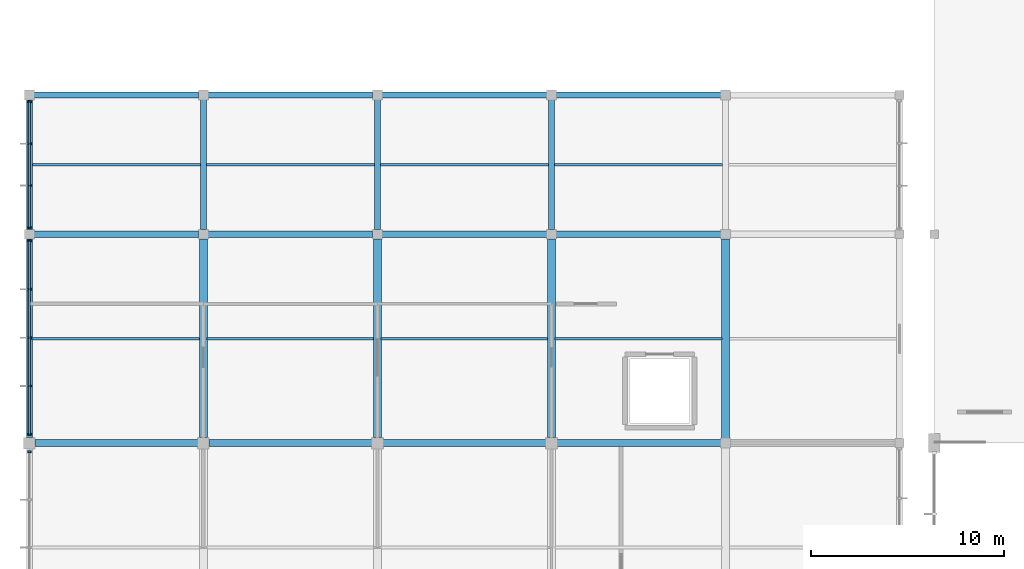
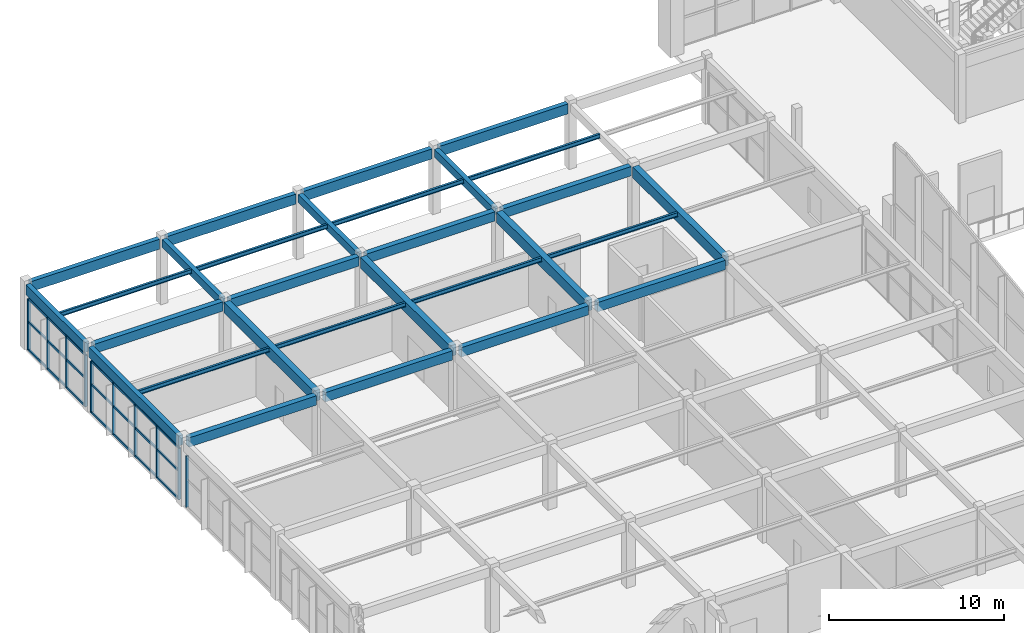
# One storey, part 23 of 74: 29 beams, 26 members, 3 elements without a shape of their own.
"""IFC4 building model written with IfcOpenShell, lengths in metres."""

from ifc_helpers import new_model, si_unit, direction, frame, origin, origin_2d, place, context, subcontext, project, spatial, rectangle, i_section, extrude, material, material_profile, profile_set, type_object, element, aggregate, save


model = new_model("IFC4")

# Units and contexts
model_context = context("Model", 3, precision=1e-05, world=origin(), true_north=direction((0.0, 1.0)))
body_context = subcontext(model_context, "Body", "Model", "MODEL_VIEW")
ifc_project = project(units=[si_unit("LENGTHUNIT", "METRE"), si_unit("AREAUNIT", "SQUARE_METRE"), si_unit("VOLUMEUNIT", "CUBIC_METRE"), si_unit("PLANEANGLEUNIT", "RADIAN"), si_unit("MASSUNIT", "GRAM", prefix="KILO")], contexts=[model_context])

# Site, building, storey
site_placement = place(None, origin())
site = spatial("IfcSite", under=ifc_project, at=site_placement, CompositionType="ELEMENT")
building_placement = place(site_placement, origin())
building = spatial("IfcBuilding", under=site, at=building_placement, Name="Suirenkawa Promenade Aquatics Centre", CompositionType="ELEMENT")
storey_placement = place(building_placement, frame((0.0, 0.0, 4.800048828125)))
storey = spatial("IfcBuildingStorey", under=building, at=storey_placement, Name="L01", CompositionType="ELEMENT", Elevation=4.800048828125)

# Beams
ifc_material_1 = material(Name="Steel IS 2062 E350 (Grade 350)", Category="steel")
ifc_material_profile_1 = material_profile(ifc_material_1, i_section(OverallWidth=0.139892578125, OverallDepth=0.300048828125, WebThickness=0.008056640625, FlangeThickness=0.012939453125, at=origin_2d()), Name="ISMB 300", Category="steel")
ifc_profile_set_1 = profile_set([ifc_material_profile_1], Name="Steel IS 2062 E350 (Grade 350)")
beam_type_1 = type_object("IfcBeamType", Name="BT-JOIST-ISMB300", PredefinedType="JOIST", material=ifc_profile_set_1)
beam_1_placement = place(storey_placement, frame((0.14404296875, 102.60009765625, 4.387939453125), z_axis=(1.0, 0.0, 0.0), x_axis=(0.0, 1.0, 0.0)))
element("IfcBeam", 1, at=beam_1_placement, inside=storey, type_object=beam_type_1, Name="Secondary floor joist JS-02 BM-0530", PredefinedType="JOIST", context=body_context, shape_type="SweptSolid", body=[
    extrude(i_section(OverallWidth=0.139892578125, OverallDepth=0.300048828125, WebThickness=0.008056640625, FlangeThickness=0.012939453125, at=origin_2d()), origin(), (0.0, 0.0, 1.0), 8.661865234375),
])
beam_2_placement = place(storey_placement, frame((0.14404296875, 111.60009765625, 4.387939453125), z_axis=(1.0, 0.0, 0.0), x_axis=(0.0, 1.0, 0.0)))
element("IfcBeam", 2, at=beam_2_placement, inside=storey, type_object=beam_type_1, Name="Secondary floor joist JS-02 BM-0531", PredefinedType="JOIST", context=body_context, shape_type="SweptSolid", body=[
    extrude(i_section(OverallWidth=0.139892578125, OverallDepth=0.300048828125, WebThickness=0.008056640625, FlangeThickness=0.012939453125, at=origin_2d()), origin(), (0.0, 0.0, 1.0), 8.7119140625),
])
beam_3_placement = place(storey_placement, frame((9.194091796875, 102.60009765625, 4.387939453125), z_axis=(1.0, 0.0, 0.0), x_axis=(0.0, 1.0, 0.0)))
element("IfcBeam", 3, at=beam_3_placement, inside=storey, type_object=beam_type_1, Name="Secondary floor joist JS-02 BM-0540", PredefinedType="JOIST", context=body_context, shape_type="SweptSolid", body=[
    extrude(i_section(OverallWidth=0.139892578125, OverallDepth=0.300048828125, WebThickness=0.008056640625, FlangeThickness=0.012939453125, at=origin_2d()), origin(), (0.0, 0.0, 1.0), 8.61181640625),
])
beam_4_placement = place(storey_placement, frame((9.14404296875, 111.60009765625, 4.387939453125), z_axis=(1.0, 0.0, 0.0), x_axis=(0.0, 1.0, 0.0)))
element("IfcBeam", 4, at=beam_4_placement, inside=storey, type_object=beam_type_1, Name="Secondary floor joist JS-02 BM-0541", PredefinedType="JOIST", context=body_context, shape_type="SweptSolid", body=[
    extrude(i_section(OverallWidth=0.139892578125, OverallDepth=0.300048828125, WebThickness=0.008056640625, FlangeThickness=0.012939453125, at=origin_2d()), origin(), (0.0, 0.0, 1.0), 8.7119140625),
])
beam_5_placement = place(storey_placement, frame((18.194091796875, 102.60009765625, 4.387939453125), z_axis=(1.0, 0.0, 0.0), x_axis=(0.0, 1.0, 0.0)))
element("IfcBeam", 5, at=beam_5_placement, inside=storey, type_object=beam_type_1, Name="Secondary floor joist JS-02 BM-0552", PredefinedType="JOIST", context=body_context, shape_type="SweptSolid", body=[
    extrude(i_section(OverallWidth=0.139892578125, OverallDepth=0.300048828125, WebThickness=0.008056640625, FlangeThickness=0.012939453125, at=origin_2d()), origin(), (0.0, 0.0, 1.0), 8.61181640625),
])
beam_6_placement = place(storey_placement, frame((18.14404296875, 111.60009765625, 4.387939453125), z_axis=(1.0, 0.0, 0.0), x_axis=(0.0, 1.0, 0.0)))
element("IfcBeam", 6, at=beam_6_placement, inside=storey, type_object=beam_type_1, Name="Secondary floor joist JS-02 BM-0553", PredefinedType="JOIST", context=body_context, shape_type="SweptSolid", body=[
    extrude(i_section(OverallWidth=0.139892578125, OverallDepth=0.300048828125, WebThickness=0.008056640625, FlangeThickness=0.012939453125, at=origin_2d()), origin(), (0.0, 0.0, 1.0), 8.7119140625),
])
beam_7_placement = place(storey_placement, frame((27.194091796875, 102.60009765625, 4.387939453125), z_axis=(1.0, 0.0, 0.0), x_axis=(0.0, 1.0, 0.0)))
element("IfcBeam", 7, at=beam_7_placement, inside=storey, type_object=beam_type_1, Name="Secondary floor joist JS-02 BM-0564", PredefinedType="JOIST", context=body_context, shape_type="SweptSolid", body=[
    extrude(i_section(OverallWidth=0.139892578125, OverallDepth=0.300048828125, WebThickness=0.008056640625, FlangeThickness=0.012939453125, at=origin_2d()), origin(), (0.0, 0.0, 1.0), 8.61181640625),
])
beam_8_placement = place(storey_placement, frame((27.14404296875, 111.60009765625, 4.387939453125), z_axis=(1.0, 0.0, 0.0), x_axis=(0.0, 1.0, 0.0)))
element("IfcBeam", 8, at=beam_8_placement, inside=storey, type_object=beam_type_1, Name="Secondary floor joist JS-02 BM-0565", PredefinedType="JOIST", context=body_context, shape_type="SweptSolid", body=[
    extrude(i_section(OverallWidth=0.139892578125, OverallDepth=0.300048828125, WebThickness=0.008056640625, FlangeThickness=0.012939453125, at=origin_2d()), origin(), (0.0, 0.0, 1.0), 8.7119140625),
])
ifc_material_2 = material(Name="Concrete M35", Category="concrete")
ifc_material_profile_2 = material_profile(ifc_material_2, rectangle(XDim=0.300048828125, YDim=0.550048828125, at=origin_2d()), Name="RC BM 300x550", Category="concrete")
ifc_profile_set_2 = profile_set([ifc_material_profile_2], Name="Concrete M35")
beam_type_2 = type_object("IfcBeamType", Name="BT-RC-300x550", PredefinedType="BEAM", material=ifc_profile_set_2)
for number, where, z_axis, x_axis, name in (
    (9, (9.0, 108.243896484375, 4.264892578125), (0.0, 1.0, 0.0), (-1.0, 0.0, 0.0), "Floor beam BM-01 BM-0473"),
    (10, (18.0, 108.243896484375, 4.264892578125), (0.0, 1.0, 0.0), (-1.0, 0.0, 0.0), "Floor beam BM-01 BM-0485"),
    (11, (27.0, 108.243896484375, 4.264892578125), (0.0, 1.0, 0.0), (-1.0, 0.0, 0.0), "Floor beam BM-01 BM-0497"),
):
    element("IfcBeam", number, at=place(storey_placement, frame(where, z_axis=z_axis, x_axis=x_axis)), inside=storey, type_object=beam_type_2, Name=name, PredefinedType="BEAM", context=body_context, shape_type="SweptSolid", body=[
        extrude(rectangle(XDim=0.300048828125, YDim=0.550048828125, at=origin_2d()), origin(), (0.0, 0.0, 1.0), 6.712158203125),
    ])
ifc_material_profile_3 = material_profile(ifc_material_2, rectangle(XDim=0.35009765625, YDim=0.64990234375, at=origin_2d()), Name="RC BM 350x650", Category="concrete")
ifc_profile_set_3 = profile_set([ifc_material_profile_3], Name="Concrete M35")
beam_type_3 = type_object("IfcBeamType", Name="BT-RC-350x650", PredefinedType="BEAM", material=ifc_profile_set_3)
for number, where, z_axis, x_axis, name in (
    (12, (0.2939453125, 97.199951171875, 4.21484375), (1.0, 0.0, 0.0), (0.0, 1.0, 0.0), "Floor beam BM-03 BM-0435"),
    (13, (9.2939453125, 97.199951171875, 4.21484375), (1.0, 0.0, 0.0), (0.0, 1.0, 0.0), "Floor beam BM-03 BM-0436"),
    (14, (18.2939453125, 97.199951171875, 4.21484375), (1.0, 0.0, 0.0), (0.0, 1.0, 0.0), "Floor beam BM-03 BM-0437"),
):
    element("IfcBeam", number, at=place(storey_placement, frame(where, z_axis=z_axis, x_axis=x_axis)), inside=storey, type_object=beam_type_3, Name=name, PredefinedType="BEAM", context=body_context, shape_type="SweptSolid", body=[
        extrude(rectangle(XDim=0.35009765625, YDim=0.64990234375, at=origin_2d()), origin(), (0.0, 0.0, 1.0), 8.412109375),
    ])
beam_9_placement = place(storey_placement, frame((27.2939453125, 97.199951171875, 4.21484375), z_axis=(1.0, 0.0, 0.0), x_axis=(0.0, 1.0, 0.0)))
element("IfcBeam", 15, at=beam_9_placement, inside=storey, type_object=beam_type_3, Name="Floor beam BM-03 BM-0438", PredefinedType="BEAM", context=body_context, shape_type="SweptSolid", body=[
    extrude(rectangle(XDim=0.35009765625, YDim=0.64990234375, at=origin_2d()), origin(), (0.0, 0.0, 1.0), 8.462158203125),
])
for number, where, z_axis, x_axis, name in (
    (16, (0.243896484375, 108.0, 4.21484375), (1.0, 0.0, 0.0), (0.0, 1.0, 0.0), "Floor beam BM-03 BM-0440"),
    (17, (9.243896484375, 108.0, 4.21484375), (1.0, 0.0, 0.0), (0.0, 1.0, 0.0), "Floor beam BM-03 BM-0441"),
    (18, (18.243896484375, 108.0, 4.21484375), (1.0, 0.0, 0.0), (0.0, 1.0, 0.0), "Floor beam BM-03 BM-0442"),
    (19, (27.243896484375, 108.0, 4.21484375), (1.0, 0.0, 0.0), (0.0, 1.0, 0.0), "Floor beam BM-03 BM-0443"),
):
    element("IfcBeam", number, at=place(storey_placement, frame(where, z_axis=z_axis, x_axis=x_axis)), inside=storey, type_object=beam_type_3, Name=name, PredefinedType="BEAM", context=body_context, shape_type="SweptSolid", body=[
        extrude(rectangle(XDim=0.35009765625, YDim=0.64990234375, at=origin_2d()), origin(), (0.0, 0.0, 1.0), 8.51220703125),
    ])
ifc_material_3 = material(Name="Concrete M40", Category="concrete")
ifc_material_profile_4 = material_profile(ifc_material_3, rectangle(XDim=0.39990234375, YDim=0.75, at=origin_2d()), Name="RC BM 400x750", Category="concrete")
ifc_profile_set_4 = profile_set([ifc_material_profile_4], Name="Concrete M40")
beam_type_4 = type_object("IfcBeamType", Name="BT-RC-400x750", PredefinedType="BEAM", material=ifc_profile_set_4)
for number, where, z_axis, x_axis, name in (
    (20, (9.0, 97.493896484375, 4.1650390625), (0.0, 1.0, 0.0), (-1.0, 0.0, 0.0), "Floor beam BM-05 BM-0472"),
    (21, (18.0, 97.493896484375, 4.1650390625), (0.0, 1.0, 0.0), (-1.0, 0.0, 0.0), "Floor beam BM-05 BM-0484"),
    (22, (27.0, 97.493896484375, 4.1650390625), (0.0, 1.0, 0.0), (-1.0, 0.0, 0.0), "Floor beam BM-05 BM-0496"),
):
    element("IfcBeam", number, at=place(storey_placement, frame(where, z_axis=z_axis, x_axis=x_axis)), inside=storey, type_object=beam_type_4, Name=name, PredefinedType="BEAM", context=body_context, shape_type="SweptSolid", body=[
        extrude(rectangle(XDim=0.39990234375, YDim=0.75, at=origin_2d()), origin(), (0.0, 0.0, 1.0), 10.26220703125),
    ])
beam_10_placement = place(storey_placement, frame((36.0, 97.444091796875, 4.1650390625), z_axis=(0.0, 1.0, 0.0), x_axis=(-1.0, 0.0, 0.0)))
element("IfcBeam", 23, at=beam_10_placement, inside=storey, type_object=beam_type_4, Name="Floor beam BM-05 BM-0508", PredefinedType="BEAM", context=body_context, shape_type="SweptSolid", body=[
    extrude(rectangle(XDim=0.39990234375, YDim=0.75, at=origin_2d()), origin(), (0.0, 0.0, 1.0), 10.31201171875),
])
ifc_material_profile_5 = material_profile(ifc_material_3, rectangle(XDim=0.300048828125, YDim=0.699951171875, at=origin_2d()), Name="RC SPANDREL 300x700", Category="concrete")
ifc_profile_set_5 = profile_set([ifc_material_profile_5], Name="Concrete M40")
beam_type_5 = type_object("IfcBeamType", Name="BT-SPANDREL-300x700", PredefinedType="SPANDREL", material=ifc_profile_set_5)
for number, where, z_axis, x_axis, name in (
    (24, (0.243896484375, 115.199951171875, 4.18994140625), (1.0, 0.0, 0.0), (0.0, 1.0, 0.0), "Floor beam SP-01 BM-0445"),
    (25, (9.243896484375, 115.199951171875, 4.18994140625), (1.0, 0.0, 0.0), (0.0, 1.0, 0.0), "Floor beam SP-01 BM-0446"),
    (26, (18.243896484375, 115.199951171875, 4.18994140625), (1.0, 0.0, 0.0), (0.0, 1.0, 0.0), "Floor beam SP-01 BM-0447"),
    (27, (27.243896484375, 115.199951171875, 4.18994140625), (1.0, 0.0, 0.0), (0.0, 1.0, 0.0), "Floor beam SP-01 BM-0448"),
):
    element("IfcBeam", number, at=place(storey_placement, frame(where, z_axis=z_axis, x_axis=x_axis)), inside=storey, type_object=beam_type_5, Name=name, PredefinedType="SPANDREL", context=body_context, shape_type="SweptSolid", body=[
        extrude(rectangle(XDim=0.300048828125, YDim=0.699951171875, at=origin_2d()), origin(), (0.0, 0.0, 1.0), 8.51220703125),
    ])
beam_11_placement = place(storey_placement, frame((0.0, 97.493896484375, 4.18994140625), z_axis=(0.0, 1.0, 0.0), x_axis=(-1.0, 0.0, 0.0)))
element("IfcBeam", 28, at=beam_11_placement, inside=storey, type_object=beam_type_5, Name="Floor beam SP-01 BM-0460", PredefinedType="SPANDREL", context=body_context, shape_type="SweptSolid", body=[
    extrude(rectangle(XDim=0.300048828125, YDim=0.699951171875, at=origin_2d()), origin(), (0.0, 0.0, 1.0), 10.26220703125),
])
beam_12_placement = place(storey_placement, frame((0.0, 108.243896484375, 4.18994140625), z_axis=(0.0, 1.0, 0.0), x_axis=(-1.0, 0.0, 0.0)))
element("IfcBeam", 29, at=beam_12_placement, inside=storey, type_object=beam_type_5, Name="Floor beam SP-01 BM-0461", PredefinedType="SPANDREL", context=body_context, shape_type="SweptSolid", body=[
    extrude(rectangle(XDim=0.300048828125, YDim=0.699951171875, at=origin_2d()), origin(), (0.0, 0.0, 1.0), 6.712158203125),
])

# Curtain wall, member
ifc_material_4 = material(Name="Anodised aluminium 6063-T6", Category="aluminium")
curtain_wall_type_1 = type_object("IfcCurtainWallType", Name="CWAT-V5WL01-52", PredefinedType="NOTDEFINED", material=ifc_material_4)
curtain_wall_1_placement = place(storey_placement, origin())
curtain_wall_1 = element("IfcCurtainWall", 30, at=curtain_wall_1_placement, inside=storey, type_object=curtain_wall_type_1, Name="Curtain wall CWA-52 CW-108", PredefinedType="NOTDEFINED")
ifc_material_profile_6 = material_profile(ifc_material_4, rectangle(XDim=0.094970703125, YDim=0.18994140625, at=origin_2d()), Name="ALU MULL 95x190", Category="aluminium")
ifc_profile_set_6 = profile_set([ifc_material_profile_6], Name="Anodised aluminium 6063-T6")
member_type_1 = type_object("IfcMemberType", Name="CWM-190x95", PredefinedType="MULLION", material=ifc_profile_set_6)
member_1_placement = place(storey_placement, frame((0.0, 96.7509765625, 0.0), z_axis=(0.0, 0.0, 1.0), x_axis=(0.0, 1.0, 0.0)))
member_1 = element("IfcMember", 31, at=member_1_placement, type_object=member_type_1, Name="Mullion ML-02 CWM-02169", PredefinedType="MULLION", context=body_context, shape_type="SweptSolid", body=[
    extrude(rectangle(XDim=0.094970703125, YDim=0.18994140625, at=origin_2d()), origin(), (0.0, 0.0, 1.0), 3.570068359375),
])
aggregate(curtain_wall_1, [member_1])

# Curtain wall, members
curtain_wall_type_2 = type_object("IfcCurtainWallType", Name="CWAT-V5WL01-57", PredefinedType="NOTDEFINED", material=ifc_material_4)
curtain_wall_2_placement = place(storey_placement, origin())
curtain_wall_2 = element("IfcCurtainWall", 32, at=curtain_wall_2_placement, inside=storey, type_object=curtain_wall_type_2, Name="Curtain wall CWA-57 CW-110", PredefinedType="NOTDEFINED")
member_2_placement = place(storey_placement, frame((0.0, 97.64892578125, 0.0), z_axis=(0.0, 0.0, 1.0), x_axis=(0.0, 1.0, 0.0)))
member_2 = element("IfcMember", 33, at=member_2_placement, type_object=member_type_1, Name="Mullion ML-02 CWM-02209", PredefinedType="MULLION", context=body_context, shape_type="SweptSolid", body=[
    extrude(rectangle(XDim=0.094970703125, YDim=0.18994140625, at=origin_2d()), origin(), (0.0, 0.0, 1.0), 3.570068359375),
])
member_3_placement = place(storey_placement, frame((0.0, 100.1494140625, 0.0), z_axis=(0.0, 0.0, 1.0), x_axis=(0.0, 1.0, 0.0)))
member_3 = element("IfcMember", 34, at=member_3_placement, type_object=member_type_1, Name="Mullion ML-02 CWM-02210", PredefinedType="MULLION", context=body_context, shape_type="SweptSolid", body=[
    extrude(rectangle(XDim=0.094970703125, YDim=0.18994140625, at=origin_2d()), origin(), (0.0, 0.0, 1.0), 3.570068359375),
])
member_4_placement = place(storey_placement, frame((0.0, 102.64990234375, 0.0), z_axis=(0.0, 0.0, 1.0), x_axis=(0.0, 1.0, 0.0)))
member_4 = element("IfcMember", 35, at=member_4_placement, type_object=member_type_1, Name="Mullion ML-02 CWM-02211", PredefinedType="MULLION", context=body_context, shape_type="SweptSolid", body=[
    extrude(rectangle(XDim=0.094970703125, YDim=0.18994140625, at=origin_2d()), origin(), (0.0, 0.0, 1.0), 3.570068359375),
])
member_5_placement = place(storey_placement, frame((0.0, 105.150390625, 0.0), z_axis=(0.0, 0.0, 1.0), x_axis=(0.0, 1.0, 0.0)))
member_5 = element("IfcMember", 36, at=member_5_placement, type_object=member_type_1, Name="Mullion ML-02 CWM-02212", PredefinedType="MULLION", context=body_context, shape_type="SweptSolid", body=[
    extrude(rectangle(XDim=0.094970703125, YDim=0.18994140625, at=origin_2d()), origin(), (0.0, 0.0, 1.0), 3.570068359375),
])
member_6_placement = place(storey_placement, frame((0.0, 107.65087890625, 0.0), z_axis=(0.0, 0.0, 1.0), x_axis=(0.0, 1.0, 0.0)))
member_6 = element("IfcMember", 37, at=member_6_placement, type_object=member_type_1, Name="Mullion ML-02 CWM-02213", PredefinedType="MULLION", context=body_context, shape_type="SweptSolid", body=[
    extrude(rectangle(XDim=0.094970703125, YDim=0.18994140625, at=origin_2d()), origin(), (0.0, 0.0, 1.0), 3.570068359375),
])

curtain_wall_type_3 = type_object("IfcCurtainWallType", Name="CWAT-V5WL01-58", PredefinedType="NOTDEFINED", material=ifc_material_4)
curtain_wall_3_placement = place(storey_placement, origin())
curtain_wall_3 = element("IfcCurtainWall", 38, at=curtain_wall_3_placement, inside=storey, type_object=curtain_wall_type_3, Name="Curtain wall CWA-58 CW-111", PredefinedType="NOTDEFINED")
member_7_placement = place(storey_placement, frame((0.0, 108.34912109375, 0.0), z_axis=(0.0, 0.0, 1.0), x_axis=(0.0, 1.0, 0.0)))
member_7 = element("IfcMember", 39, at=member_7_placement, type_object=member_type_1, Name="Mullion ML-02 CWM-02231", PredefinedType="MULLION", context=body_context, shape_type="SweptSolid", body=[
    extrude(rectangle(XDim=0.094970703125, YDim=0.18994140625, at=origin_2d()), origin(), (0.0, 0.0, 1.0), 3.570068359375),
])
member_8_placement = place(storey_placement, frame((0.0, 110.516357421875, 0.0), z_axis=(0.0, 0.0, 1.0), x_axis=(0.0, 1.0, 0.0)))
member_8 = element("IfcMember", 40, at=member_8_placement, type_object=member_type_1, Name="Mullion ML-02 CWM-02232", PredefinedType="MULLION", context=body_context, shape_type="SweptSolid", body=[
    extrude(rectangle(XDim=0.094970703125, YDim=0.18994140625, at=origin_2d()), origin(), (0.0, 0.0, 1.0), 3.570068359375),
])
member_9_placement = place(storey_placement, frame((0.0, 112.68359375, 0.0), z_axis=(0.0, 0.0, 1.0), x_axis=(0.0, 1.0, 0.0)))
member_9 = element("IfcMember", 41, at=member_9_placement, type_object=member_type_1, Name="Mullion ML-02 CWM-02233", PredefinedType="MULLION", context=body_context, shape_type="SweptSolid", body=[
    extrude(rectangle(XDim=0.094970703125, YDim=0.18994140625, at=origin_2d()), origin(), (0.0, 0.0, 1.0), 3.570068359375),
])
member_10_placement = place(storey_placement, frame((0.0, 114.85107421875, 0.0), z_axis=(0.0, 0.0, 1.0), x_axis=(0.0, 1.0, 0.0)))
member_10 = element("IfcMember", 42, at=member_10_placement, type_object=member_type_1, Name="Mullion ML-02 CWM-02234", PredefinedType="MULLION", context=body_context, shape_type="SweptSolid", body=[
    extrude(rectangle(XDim=0.094970703125, YDim=0.18994140625, at=origin_2d()), origin(), (0.0, 0.0, 1.0), 3.570068359375),
])

# Member
ifc_material_profile_7 = material_profile(ifc_material_4, rectangle(XDim=0.094970703125, YDim=0.14990234375, at=origin_2d()), Name="ALU TRAN 95x150", Category="aluminium")
ifc_profile_set_7 = profile_set([ifc_material_profile_7], Name="Anodised aluminium 6063-T6")
member_type_2 = type_object("IfcMemberType", Name="CWT-150x95", PredefinedType="USERDEFINED", material=ifc_profile_set_7)
member_11_placement = place(storey_placement, frame((0.0, 97.64892578125, 0.0), z_axis=(0.0, 1.0, 0.0), x_axis=(-1.0, 0.0, 0.0)))
member_11 = element("IfcMember", 43, at=member_11_placement, type_object=member_type_2, Name="Transom TR-02 CWT-02214", ObjectType="TRANSOM", PredefinedType="USERDEFINED", context=body_context, shape_type="SweptSolid", body=[
    extrude(rectangle(XDim=0.094970703125, YDim=0.14990234375, at=origin_2d()), origin(), (0.0, 0.0, 1.0), 2.50048828125),
])

member_12_placement = place(storey_placement, frame((0.0, 100.1494140625, 0.0), z_axis=(0.0, 1.0, 0.0), x_axis=(-1.0, 0.0, 0.0)))
member_12 = element("IfcMember", 44, at=member_12_placement, type_object=member_type_2, Name="Transom TR-02 CWT-02215", ObjectType="TRANSOM", PredefinedType="USERDEFINED", context=body_context, shape_type="SweptSolid", body=[
    extrude(rectangle(XDim=0.094970703125, YDim=0.14990234375, at=origin_2d()), origin(), (0.0, 0.0, 1.0), 2.50048828125),
])

member_13_placement = place(storey_placement, frame((0.0, 102.64990234375, 0.0), z_axis=(0.0, 1.0, 0.0), x_axis=(-1.0, 0.0, 0.0)))
member_13 = element("IfcMember", 45, at=member_13_placement, type_object=member_type_2, Name="Transom TR-02 CWT-02216", ObjectType="TRANSOM", PredefinedType="USERDEFINED", context=body_context, shape_type="SweptSolid", body=[
    extrude(rectangle(XDim=0.094970703125, YDim=0.14990234375, at=origin_2d()), origin(), (0.0, 0.0, 1.0), 2.50048828125),
])

member_14_placement = place(storey_placement, frame((0.0, 105.150390625, 0.0), z_axis=(0.0, 1.0, 0.0), x_axis=(-1.0, 0.0, 0.0)))
member_14 = element("IfcMember", 46, at=member_14_placement, type_object=member_type_2, Name="Transom TR-02 CWT-02217", ObjectType="TRANSOM", PredefinedType="USERDEFINED", context=body_context, shape_type="SweptSolid", body=[
    extrude(rectangle(XDim=0.094970703125, YDim=0.14990234375, at=origin_2d()), origin(), (0.0, 0.0, 1.0), 2.50048828125),
])

member_15_placement = place(storey_placement, frame((0.0, 97.64892578125, 1.949951171875), z_axis=(0.0, 1.0, 0.0), x_axis=(-1.0, 0.0, 0.0)))
member_15 = element("IfcMember", 47, at=member_15_placement, type_object=member_type_2, Name="Transom TR-02 CWT-02218", ObjectType="TRANSOM", PredefinedType="USERDEFINED", context=body_context, shape_type="SweptSolid", body=[
    extrude(rectangle(XDim=0.094970703125, YDim=0.14990234375, at=origin_2d()), origin(), (0.0, 0.0, 1.0), 2.50048828125),
])

member_16_placement = place(storey_placement, frame((0.0, 100.1494140625, 1.949951171875), z_axis=(0.0, 1.0, 0.0), x_axis=(-1.0, 0.0, 0.0)))
member_16 = element("IfcMember", 48, at=member_16_placement, type_object=member_type_2, Name="Transom TR-02 CWT-02219", ObjectType="TRANSOM", PredefinedType="USERDEFINED", context=body_context, shape_type="SweptSolid", body=[
    extrude(rectangle(XDim=0.094970703125, YDim=0.14990234375, at=origin_2d()), origin(), (0.0, 0.0, 1.0), 2.50048828125),
])

member_17_placement = place(storey_placement, frame((0.0, 102.64990234375, 1.949951171875), z_axis=(0.0, 1.0, 0.0), x_axis=(-1.0, 0.0, 0.0)))
member_17 = element("IfcMember", 49, at=member_17_placement, type_object=member_type_2, Name="Transom TR-02 CWT-02220", ObjectType="TRANSOM", PredefinedType="USERDEFINED", context=body_context, shape_type="SweptSolid", body=[
    extrude(rectangle(XDim=0.094970703125, YDim=0.14990234375, at=origin_2d()), origin(), (0.0, 0.0, 1.0), 2.50048828125),
])

member_18_placement = place(storey_placement, frame((0.0, 105.150390625, 1.949951171875), z_axis=(0.0, 1.0, 0.0), x_axis=(-1.0, 0.0, 0.0)))
member_18 = element("IfcMember", 50, at=member_18_placement, type_object=member_type_2, Name="Transom TR-02 CWT-02221", ObjectType="TRANSOM", PredefinedType="USERDEFINED", context=body_context, shape_type="SweptSolid", body=[
    extrude(rectangle(XDim=0.094970703125, YDim=0.14990234375, at=origin_2d()), origin(), (0.0, 0.0, 1.0), 2.50048828125),
])

member_19_placement = place(storey_placement, frame((0.0, 97.64892578125, 3.570068359375), z_axis=(0.0, 1.0, 0.0), x_axis=(-1.0, 0.0, 0.0)))
member_19 = element("IfcMember", 51, at=member_19_placement, type_object=member_type_2, Name="Roofline transom TR-02 CWT-02222", ObjectType="TRANSOM", PredefinedType="USERDEFINED", context=body_context, shape_type="SweptSolid", body=[
    extrude(rectangle(XDim=0.094970703125, YDim=0.14990234375, at=origin_2d()), origin(), (0.0, 0.0, 1.0), 10.001953125),
])

aggregate(curtain_wall_2, [member_2, member_3, member_4, member_5, member_6, member_11, member_12, member_13, member_14, member_15, member_16, member_17, member_18, member_19])

member_20_placement = place(storey_placement, frame((0.0, 108.34912109375, 0.0), z_axis=(0.0, 1.0, 0.0), x_axis=(-1.0, 0.0, 0.0)))
member_20 = element("IfcMember", 52, at=member_20_placement, type_object=member_type_2, Name="Transom TR-02 CWT-02235", ObjectType="TRANSOM", PredefinedType="USERDEFINED", context=body_context, shape_type="SweptSolid", body=[
    extrude(rectangle(XDim=0.094970703125, YDim=0.14990234375, at=origin_2d()), origin(), (0.0, 0.0, 1.0), 2.167236328125),
])

member_21_placement = place(storey_placement, frame((0.0, 110.516357421875, 0.0), z_axis=(0.0, 1.0, 0.0), x_axis=(-1.0, 0.0, 0.0)))
member_21 = element("IfcMember", 53, at=member_21_placement, type_object=member_type_2, Name="Transom TR-02 CWT-02236", ObjectType="TRANSOM", PredefinedType="USERDEFINED", context=body_context, shape_type="SweptSolid", body=[
    extrude(rectangle(XDim=0.094970703125, YDim=0.14990234375, at=origin_2d()), origin(), (0.0, 0.0, 1.0), 2.167236328125),
])

member_22_placement = place(storey_placement, frame((0.0, 112.68359375, 0.0), z_axis=(0.0, 1.0, 0.0), x_axis=(-1.0, 0.0, 0.0)))
member_22 = element("IfcMember", 54, at=member_22_placement, type_object=member_type_2, Name="Transom TR-02 CWT-02237", ObjectType="TRANSOM", PredefinedType="USERDEFINED", context=body_context, shape_type="SweptSolid", body=[
    extrude(rectangle(XDim=0.094970703125, YDim=0.14990234375, at=origin_2d()), origin(), (0.0, 0.0, 1.0), 2.16748046875),
])

member_23_placement = place(storey_placement, frame((0.0, 108.34912109375, 1.949951171875), z_axis=(0.0, 1.0, 0.0), x_axis=(-1.0, 0.0, 0.0)))
member_23 = element("IfcMember", 55, at=member_23_placement, type_object=member_type_2, Name="Transom TR-02 CWT-02238", ObjectType="TRANSOM", PredefinedType="USERDEFINED", context=body_context, shape_type="SweptSolid", body=[
    extrude(rectangle(XDim=0.094970703125, YDim=0.14990234375, at=origin_2d()), origin(), (0.0, 0.0, 1.0), 2.167236328125),
])

member_24_placement = place(storey_placement, frame((0.0, 110.516357421875, 1.949951171875), z_axis=(0.0, 1.0, 0.0), x_axis=(-1.0, 0.0, 0.0)))
member_24 = element("IfcMember", 56, at=member_24_placement, type_object=member_type_2, Name="Transom TR-02 CWT-02239", ObjectType="TRANSOM", PredefinedType="USERDEFINED", context=body_context, shape_type="SweptSolid", body=[
    extrude(rectangle(XDim=0.094970703125, YDim=0.14990234375, at=origin_2d()), origin(), (0.0, 0.0, 1.0), 2.167236328125),
])

member_25_placement = place(storey_placement, frame((0.0, 112.68359375, 1.949951171875), z_axis=(0.0, 1.0, 0.0), x_axis=(-1.0, 0.0, 0.0)))
member_25 = element("IfcMember", 57, at=member_25_placement, type_object=member_type_2, Name="Transom TR-02 CWT-02240", ObjectType="TRANSOM", PredefinedType="USERDEFINED", context=body_context, shape_type="SweptSolid", body=[
    extrude(rectangle(XDim=0.094970703125, YDim=0.14990234375, at=origin_2d()), origin(), (0.0, 0.0, 1.0), 2.16748046875),
])

member_26_placement = place(storey_placement, frame((0.0, 108.34912109375, 3.570068359375), z_axis=(0.0, 1.0, 0.0), x_axis=(-1.0, 0.0, 0.0)))
member_26 = element("IfcMember", 58, at=member_26_placement, type_object=member_type_2, Name="Roofline transom TR-02 CWT-02241", ObjectType="TRANSOM", PredefinedType="USERDEFINED", context=body_context, shape_type="SweptSolid", body=[
    extrude(rectangle(XDim=0.094970703125, YDim=0.14990234375, at=origin_2d()), origin(), (0.0, 0.0, 1.0), 6.501953125),
])

aggregate(curtain_wall_3, [member_7, member_8, member_9, member_10, member_20, member_21, member_22, member_23, member_24, member_25, member_26])

save(model, "model.ifc")
